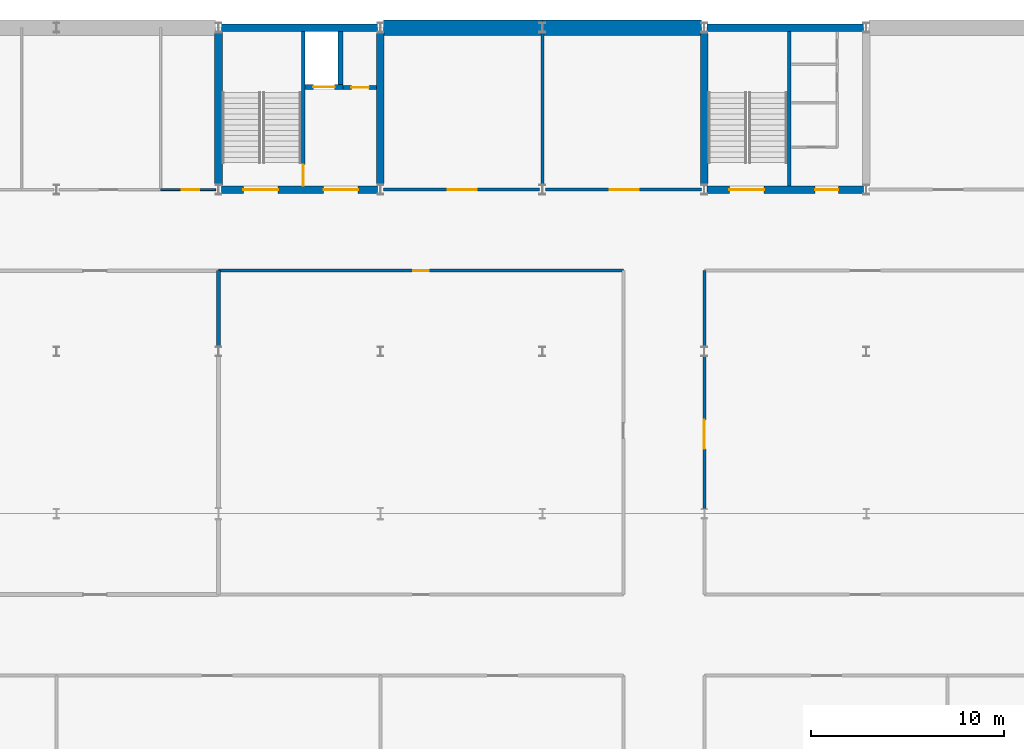
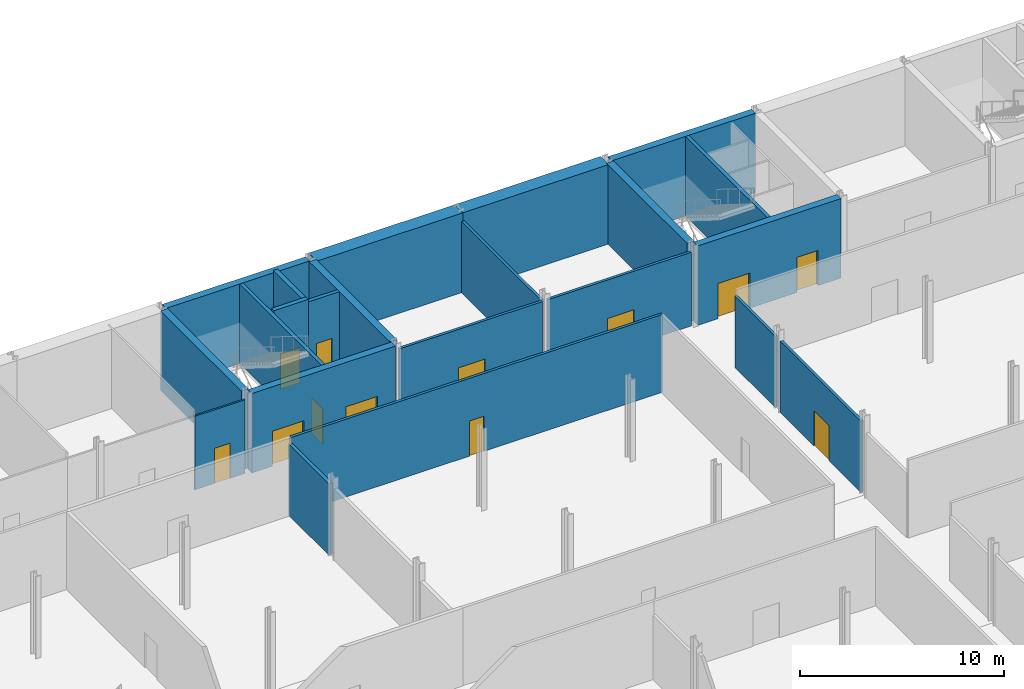
# One storey, part 13 of 20: 22 walls, 12 doors, 12 openings.
"""IFC4 building model written with IfcOpenShell, lengths in metres."""

from ifc_helpers import new_model, si_unit, direction, frame, frame_2d, origin, place, context, subcontext, project, spatial, rectangle, extrude, material, layer, layer_set, type_object, element, fill, save


model = new_model("IFC4")

# Units and contexts
model_context = context("Model", 3, precision=1e-05, world=origin(), true_north=direction((0.0, 1.0)))
body_context = subcontext(model_context, "Body", "Model", "MODEL_VIEW")
ifc_project = project(units=[si_unit("LENGTHUNIT", "METRE"), si_unit("AREAUNIT", "SQUARE_METRE"), si_unit("VOLUMEUNIT", "CUBIC_METRE"), si_unit("PLANEANGLEUNIT", "RADIAN"), si_unit("MASSUNIT", "GRAM", prefix="KILO")], contexts=[model_context])

# Site, building, storey
site_placement = place(None, origin())
site = spatial("IfcSite", under=ifc_project, at=site_placement, CompositionType="ELEMENT")
building_placement = place(site_placement, origin())
building = spatial("IfcBuilding", under=site, at=building_placement, Name="Galleria Vessillo Department Store", CompositionType="ELEMENT")
storey_placement = place(building_placement, frame((0.0, 0.0, -4.89990234375)))
storey = spatial("IfcBuildingStorey", under=building, at=storey_placement, Name="B1", CompositionType="ELEMENT", Elevation=-4.89990234375)

# Walls
ifc_material_1 = material(Name="Concrete C32/40 reinforced", Category="concrete")
ifc_layer_1 = layer(ifc_material_1, 0.800048828125)
ifc_layer_set_1 = layer_set([ifc_layer_1], Name="Concrete C32/40 reinforced")
wall_type_1 = type_object("IfcWallType", Name="Diaphragm wall 800 mm", PredefinedType="SOLIDWALL", material=ifc_layer_set_1)
wall_1_placement = place(storey_placement, frame((42.14990234375, 63.0, 0.0), z_axis=(0.0, 0.0, 1.0), x_axis=(1.0, 0.0, 0.0)))
element("IfcWall", 1, at=wall_1_placement, inside=storey, type_object=wall_type_1, Name="S-BW-N-B1-04", PredefinedType="SOLIDWALL", context=body_context, shape_type="SweptSolid", body=[
    extrude(rectangle(XDim=8.25, YDim=0.800048828125, at=frame_2d((4.125, 0.0))), origin(), (0.0, 0.0, 1.0), 4.75),
])
wall_2_placement = place(storey_placement, frame((50.39990234375, 63.0, 0.0), z_axis=(0.0, 0.0, 1.0), x_axis=(1.0, 0.0, 0.0)))
element("IfcWall", 2, at=wall_2_placement, inside=storey, type_object=wall_type_1, Name="S-BW-N-B1-05", PredefinedType="SOLIDWALL", context=body_context, shape_type="SweptSolid", body=[
    extrude(rectangle(XDim=8.250244140625, YDim=0.800048828125, at=frame_2d((4.125, 0.0))), origin(), (0.0, 0.0, 1.0), 4.75),
])
ifc_material_2 = material(Name="Concrete blockwork", Category="masonry")
ifc_layer_2 = layer(ifc_material_2, 0.199951171875)
ifc_layer_set_2 = layer_set([ifc_layer_2], Name="Concrete blockwork")
wall_type_2 = type_object("IfcWallType", Name="Kitchen blockwork wall 200 mm", PredefinedType="SOLIDWALL", material=ifc_layer_set_2)
wall_3_placement = place(storey_placement, frame((33.60009765625, 46.449951171875, 0.0), z_axis=(0.0, 0.0, 1.0), x_axis=(0.0, 1.0, 0.0)))
element("IfcWall", 3, at=wall_3_placement, inside=storey, type_object=wall_type_2, Name="Partition wall PT8 on B1 no. 093", PredefinedType="SOLIDWALL", context=body_context, shape_type="SweptSolid", body=[
    extrude(rectangle(XDim=3.949951171875, YDim=0.199951171875, at=frame_2d((1.97509765625, 0.0))), origin(), (0.0, 0.0, 1.0), 4.259765625),
])

# Wall, opening, door
ifc_material_3 = material(Name="Solid clay block masonry", Category="masonry")
ifc_layer_3 = layer(ifc_material_3, 0.25)
ifc_layer_set_3 = layer_set([ifc_layer_3], Name="Solid clay block masonry")
wall_type_3 = type_object("IfcWallType", Name="Lift shaft wall 250 mm", PredefinedType="SOLIDWALL", material=ifc_layer_set_3)
wall_4_placement = place(storey_placement, frame((38.10009765625, 59.925048828125, 0.0), z_axis=(0.0, 0.0, 1.0), x_axis=(1.0, 0.0, 0.0)))
wall_4 = element("IfcWall", 4, at=wall_4_placement, inside=storey, type_object=wall_type_3, Name="Lift shaft wall LP4 landing side B1", PredefinedType="SOLIDWALL", context=body_context, shape_type="SweptSolid", body=[
    extrude(rectangle(XDim=1.949951171875, YDim=0.25, at=frame_2d((0.97509765625, 0.0))), origin(), (0.0, 0.0, 1.0), 4.89990234375),
])
opening_1_placement = place(wall_4_placement, frame((0.4248046875, 0.0, 0.0)))
opening_1 = element("IfcOpeningElement", 5, at=opening_1_placement, cuts=wall_4, Name="Opening LD026", PredefinedType="OPENING", context=body_context, shape_type="SweptSolid", body=[
    extrude(rectangle(XDim=1.10009765625, YDim=2.10009765625, at=frame_2d((0.550048828125, 1.050048828125))), frame((0.0, 0.135009765625, 0.0), z_axis=(0.0, -1.0, 0.0), x_axis=(1.0, 0.0, 0.0)), (0.0, 0.0, 1.0), 0.27001953125),
])
ifc_material_4 = material(Name="Stainless steel lift door panel", Category="steel")
door_type_1 = type_object("IfcDoorType", Name="Lift landing door LD110 sliding 1100 x 2100", OperationType="SLIDING_TO_LEFT", PredefinedType="DOOR", material=ifc_material_4)
door_1_placement = place(opening_1_placement, frame((1.10009765625, 0.0, 0.0), z_axis=(0.0, 0.0, 1.0), x_axis=(-1.0, 0.0, 0.0)))
door_1 = element("IfcDoor", 6, at=door_1_placement, inside=storey, type_object=door_type_1, Name="Lift landing door LP4 B1", OperationType="SLIDING_TO_RIGHT", OverallHeight=2.10009765625, OverallWidth=1.10009765625, PredefinedType="DOOR", context=body_context, shape_type="SweptSolid", body=[
    extrude(rectangle(XDim=1.10009765625, YDim=2.10009765625, at=frame_2d((0.550048828125, 1.050048828125))), frame((0.0, 0.02490234375, 0.0), z_axis=(0.0, -1.0, 0.0), x_axis=(1.0, 0.0, 0.0)), (0.0, 0.0, 1.0), 0.050048828125),
])
fill(opening_1, door_1)

# Wall
wall_5_placement = place(storey_placement, frame((39.925048828125, 62.800048828125, 0.0), z_axis=(0.0, 0.0, 1.0), x_axis=(0.0, -1.0, 0.0)))
element("IfcWall", 7, at=wall_5_placement, inside=storey, type_object=wall_type_3, Name="Lift shaft wall LP4 B1", PredefinedType="SOLIDWALL", context=body_context, shape_type="SweptSolid", body=[
    extrude(rectangle(XDim=2.75, YDim=0.25, at=frame_2d((1.375, 0.0))), origin(), (0.0, 0.0, 1.0), 4.89990234375),
])

# Wall, openings, doors
ifc_material_5 = material(Name="Concrete C32/40 reinforced", Category="concrete")
ifc_layer_4 = layer(ifc_material_5, 0.39990234375)
ifc_layer_set_4 = layer_set([ifc_layer_4], Name="Concrete C32/40 reinforced")
wall_type_4 = type_object("IfcWallType", Name="Reinforced concrete core wall 400 mm", PredefinedType="SHEAR", material=ifc_layer_set_4)
wall_6_placement = place(storey_placement, frame((33.75, 54.60009765625, 0.0), z_axis=(0.0, 0.0, 1.0), x_axis=(1.0, 0.0, 0.0)))
wall_6 = element("IfcWall", 8, at=wall_6_placement, inside=storey, type_object=wall_type_4, Name="S-CW-PC-NM-INTERIOR-B1", PredefinedType="SHEAR", context=body_context, shape_type="SweptSolid", body=[
    extrude(rectangle(XDim=8.10009765625, YDim=0.39990234375, at=frame_2d((4.050048828125, 0.0))), origin(), (0.0, 0.0, 1.0), 4.75),
])
opening_2_placement = place(wall_6_placement, frame((1.14990234375, 0.0, 0.0)))
opening_2 = element("IfcOpeningElement", 9, at=opening_2_placement, cuts=wall_6, Name="Opening D5102", PredefinedType="OPENING", context=body_context, shape_type="SweptSolid", body=[
    extrude(rectangle(XDim=1.800048828125, YDim=2.10009765625, at=frame_2d((0.89990234375, 1.050048828125))), frame((0.0, 0.2099609375, 0.0), z_axis=(0.0, -1.0, 0.0), x_axis=(1.0, 0.0, 0.0)), (0.0, 0.0, 1.0), 0.419921875),
])
opening_3_placement = place(wall_6_placement, frame((5.2998046875, 0.0, 0.0)))
opening_3 = element("IfcOpeningElement", 10, at=opening_3_placement, cuts=wall_6, Name="Opening D5103", PredefinedType="OPENING", context=body_context, shape_type="SweptSolid", body=[
    extrude(rectangle(XDim=1.800048828125, YDim=2.10009765625, at=frame_2d((0.89990234375, 1.050048828125))), frame((0.0, 0.2099609375, 0.0), z_axis=(0.0, -1.0, 0.0), x_axis=(1.0, 0.0, 0.0)), (0.0, 0.0, 1.0), 0.419921875),
])
ifc_material_6 = material(Name="Fire-rated steel door leaf", Category="steel")
door_type_2 = type_object("IfcDoorType", Name="Door D180F double leaf 1800 x 2100", OperationType="DOUBLE_DOOR_SINGLE_SWING", PredefinedType="DOOR", material=ifc_material_6)
door_2_placement = place(opening_2_placement, origin())
door_2 = element("IfcDoor", 11, at=door_2_placement, inside=storey, type_object=door_type_2, Name="Lobby door PC-NM-ST-FLOOR B1", OperationType="DOUBLE_DOOR_SINGLE_SWING", OverallHeight=2.10009765625, OverallWidth=1.800048828125, PredefinedType="DOOR", context=body_context, shape_type="SweptSolid", body=[
    extrude(rectangle(XDim=1.800048828125, YDim=2.10009765625, at=frame_2d((0.89990234375, 1.050048828125))), frame((0.0, 0.02490234375, 0.0), z_axis=(0.0, -1.0, 0.0), x_axis=(1.0, 0.0, 0.0)), (0.0, 0.0, 1.0), 0.050048828125),
])
fill(opening_2, door_2)
door_3_placement = place(opening_3_placement, frame((1.800048828125, 0.0, 0.0), z_axis=(0.0, 0.0, 1.0), x_axis=(-1.0, 0.0, 0.0)))
door_3 = element("IfcDoor", 12, at=door_3_placement, inside=storey, type_object=door_type_2, Name="Lobby door PC-NM-LOBBY-FLOOR B1", OperationType="DOUBLE_DOOR_SINGLE_SWING", OverallHeight=2.10009765625, OverallWidth=1.800048828125, PredefinedType="DOOR", context=body_context, shape_type="SweptSolid", body=[
    extrude(rectangle(XDim=1.800048828125, YDim=2.10009765625, at=frame_2d((0.89990234375, 1.050048828125))), frame((0.0, 0.02490234375, 0.0), z_axis=(0.0, -1.0, 0.0), x_axis=(1.0, 0.0, 0.0)), (0.0, 0.0, 1.0), 0.050048828125),
])
fill(opening_3, door_3)

# Walls
for number, where, z_axis, x_axis, name in (
    (13, (33.60009765625, 54.85009765625, 0.0), (0.0, 0.0, 1.0), (0.0, 1.0, 0.0), "S-CW-PC-NM-WEST-B1"),
    (14, (42.0, 54.85009765625, 0.0), (0.0, 0.0, 1.0), (0.0, 1.0, 0.0), "S-CW-PC-NM-EAST-B1"),
):
    element("IfcWall", number, at=place(storey_placement, frame(where, z_axis=z_axis, x_axis=x_axis)), inside=storey, type_object=wall_type_4, Name=name, PredefinedType="SHEAR", context=body_context, shape_type="SweptSolid", body=[
        extrude(rectangle(XDim=7.89990234375, YDim=0.39990234375, at=frame_2d((3.949951171875, 0.0))), origin(), (0.0, 0.0, 1.0), 4.75),
    ])

# Wall, openings, doors
wall_7_placement = place(storey_placement, frame((58.949951171875, 54.60009765625, 0.0), z_axis=(0.0, 0.0, 1.0), x_axis=(1.0, 0.0, 0.0)))
wall_7 = element("IfcWall", 15, at=wall_7_placement, inside=storey, type_object=wall_type_4, Name="S-CW-PC-NC-INTERIOR-B1", PredefinedType="SHEAR", context=body_context, shape_type="SweptSolid", body=[
    extrude(rectangle(XDim=8.10009765625, YDim=0.39990234375, at=frame_2d((4.050048828125, 0.0))), origin(), (0.0, 0.0, 1.0), 4.75),
])
opening_4_placement = place(wall_7_placement, frame((1.14990234375, 0.0, 0.0)))
opening_4 = element("IfcOpeningElement", 16, at=opening_4_placement, cuts=wall_7, Name="Opening D5206", PredefinedType="OPENING", context=body_context, shape_type="SweptSolid", body=[
    extrude(rectangle(XDim=1.800048828125, YDim=2.10009765625, at=frame_2d((0.89990234375, 1.050048828125))), frame((0.0, 0.2099609375, 0.0), z_axis=(0.0, -1.0, 0.0), x_axis=(1.0, 0.0, 0.0)), (0.0, 0.0, 1.0), 0.419921875),
])
opening_5_placement = place(wall_7_placement, frame((5.599853515625, 0.0, 0.0)))
opening_5 = element("IfcOpeningElement", 17, at=opening_5_placement, cuts=wall_7, Name="Opening D5207", PredefinedType="OPENING", context=body_context, shape_type="SweptSolid", body=[
    extrude(rectangle(XDim=1.199951171875, YDim=2.10009765625, at=frame_2d((0.60009765625, 1.050048828125))), frame((0.0, 0.2099609375, 0.0), z_axis=(0.0, -1.0, 0.0), x_axis=(1.0, 0.0, 0.0)), (0.0, 0.0, 1.0), 0.419921875),
])
ifc_material_7 = material(Name="Fire-rated steel door leaf", Category="steel")
door_type_3 = type_object("IfcDoorType", Name="Door D120F fire door 1200 x 2100", OperationType="SINGLE_SWING_LEFT", PredefinedType="DOOR", material=ifc_material_7)
door_4_placement = place(opening_5_placement, origin())
door_4 = element("IfcDoor", 18, at=door_4_placement, inside=storey, type_object=door_type_3, Name="Lobby door PC-NC-WC-FLOOR B1", OperationType="SINGLE_SWING_RIGHT", OverallHeight=2.10009765625, OverallWidth=1.199951171875, PredefinedType="DOOR", context=body_context, shape_type="SweptSolid", body=[
    extrude(rectangle(XDim=1.199951171875, YDim=2.10009765625, at=frame_2d((0.60009765625, 1.050048828125))), frame((0.0, 0.02490234375, 0.0), z_axis=(0.0, -1.0, 0.0), x_axis=(1.0, 0.0, 0.0)), (0.0, 0.0, 1.0), 0.050048828125),
])
fill(opening_5, door_4)
door_5_placement = place(opening_4_placement, origin())
door_5 = element("IfcDoor", 19, at=door_5_placement, inside=storey, type_object=door_type_2, Name="Lobby door PC-NC-ST-FLOOR B1", OperationType="DOUBLE_DOOR_SINGLE_SWING", OverallHeight=2.10009765625, OverallWidth=1.800048828125, PredefinedType="DOOR", context=body_context, shape_type="SweptSolid", body=[
    extrude(rectangle(XDim=1.800048828125, YDim=2.10009765625, at=frame_2d((0.89990234375, 1.050048828125))), frame((0.0, 0.02490234375, 0.0), z_axis=(0.0, -1.0, 0.0), x_axis=(1.0, 0.0, 0.0)), (0.0, 0.0, 1.0), 0.050048828125),
])
fill(opening_4, door_5)

# Walls
wall_8_placement = place(storey_placement, frame((58.800048828125, 54.85009765625, 0.0), z_axis=(0.0, 0.0, 1.0), x_axis=(0.0, 1.0, 0.0)))
element("IfcWall", 20, at=wall_8_placement, inside=storey, type_object=wall_type_4, Name="S-CW-PC-NC-WEST-B1", PredefinedType="SHEAR", context=body_context, shape_type="SweptSolid", body=[
    extrude(rectangle(XDim=7.89990234375, YDim=0.39990234375, at=frame_2d((3.949951171875, 0.0))), origin(), (0.0, 0.0, 1.0), 4.75),
])
ifc_material_8 = material(Name="Concrete C32/40 reinforced", Category="concrete")
ifc_layer_5 = layer(ifc_material_8, 0.39990234375)
ifc_layer_set_5 = layer_set([ifc_layer_5], Name="Concrete C32/40 reinforced")
wall_type_5 = type_object("IfcWallType", Name="Reinforced concrete core wall 400 mm, external", PredefinedType="SHEAR", material=ifc_layer_set_5)
for number, where, z_axis, x_axis, name in (
    (21, (33.75, 63.0, 0.0), (0.0, 0.0, 1.0), (1.0, 0.0, 0.0), "S-CW-PC-NM-PARTY-B1"),
    (22, (58.949951171875, 63.0, 0.0), (0.0, 0.0, 1.0), (1.0, 0.0, 0.0), "S-CW-PC-NC-PARTY-B1"),
):
    element("IfcWall", number, at=place(storey_placement, frame(where, z_axis=z_axis, x_axis=x_axis)), inside=storey, type_object=wall_type_5, Name=name, PredefinedType="SHEAR", context=body_context, shape_type="SweptSolid", body=[
        extrude(rectangle(XDim=8.10009765625, YDim=0.39990234375, at=frame_2d((4.050048828125, 0.0))), origin(), (0.0, 0.0, 1.0), 4.75),
    ])

# Wall, opening, door
ifc_material_9 = material(Name="Concrete C32/40 reinforced", Category="concrete")
ifc_layer_6 = layer(ifc_material_9, 0.199951171875)
ifc_layer_set_6 = layer_set([ifc_layer_6], Name="Concrete C32/40 reinforced")
wall_type_6 = type_object("IfcWallType", Name="Reinforced concrete stair enclosure wall 200 mm", PredefinedType="SHEAR", material=ifc_layer_set_6)
wall_9_placement = place(storey_placement, frame((38.0, 62.800048828125, 0.0), z_axis=(0.0, 0.0, 1.0), x_axis=(0.0, -1.0, 0.0)))
wall_9 = element("IfcWall", 23, at=wall_9_placement, inside=storey, type_object=wall_type_6, Name="Stair enclosure wall PC-NM B1", PredefinedType="SHEAR", context=body_context, shape_type="SweptSolid", body=[
    extrude(rectangle(XDim=8.0, YDim=0.199951171875, at=frame_2d((4.0, 0.0))), origin(), (0.0, 0.0, 1.0), 4.75),
])
opening_6_placement = place(wall_9_placement, frame((6.89990234375, 0.0, 0.0)))
opening_6 = element("IfcOpeningElement", 24, at=opening_6_placement, cuts=wall_9, Name="Opening D5100", PredefinedType="OPENING", context=body_context, shape_type="SweptSolid", body=[
    extrude(rectangle(XDim=1.11009765625, YDim=2.10009765625, at=frame_2d((0.554931640625, 1.050048828125))), frame((0.0, 0.10986328125, 0.0), z_axis=(0.0, -1.0, 0.0), x_axis=(1.0, 0.0, 0.0)), (0.0, 0.0, 1.0), 0.219970703125),
])
ifc_material_10 = material(Name="Fire-rated steel door leaf", Category="steel")
door_type_4 = type_object("IfcDoorType", Name="Door D110F stair door 1100 x 2100", OperationType="SINGLE_SWING_LEFT", PredefinedType="DOOR", material=ifc_material_10)
door_6_placement = place(opening_6_placement, frame((1.10009765625, 0.0, 0.0), z_axis=(0.0, 0.0, 1.0), x_axis=(-1.0, 0.0, 0.0)))
door_6 = element("IfcDoor", 25, at=door_6_placement, inside=storey, type_object=door_type_4, Name="Stair door PC-NM-ST-LOBBY B1", OperationType="SINGLE_SWING_LEFT", OverallHeight=2.10009765625, OverallWidth=1.10009765625, PredefinedType="DOOR", context=body_context, shape_type="SweptSolid", body=[
    extrude(rectangle(XDim=1.10009765625, YDim=2.10009765625, at=frame_2d((0.550048828125, 1.050048828125))), frame((0.0, 0.02490234375, 0.0), z_axis=(0.0, -1.0, 0.0), x_axis=(1.0, 0.0, 0.0)), (0.0, 0.0, 1.0), 0.050048828125),
])
fill(opening_6, door_6)

# Wall
wall_10_placement = place(storey_placement, frame((63.199951171875, 62.800048828125, 0.0), z_axis=(0.0, 0.0, 1.0), x_axis=(0.0, -1.0, 0.0)))
element("IfcWall", 26, at=wall_10_placement, inside=storey, type_object=wall_type_6, Name="Stair enclosure wall PC-NC B1", PredefinedType="SHEAR", context=body_context, shape_type="SweptSolid", body=[
    extrude(rectangle(XDim=8.0, YDim=0.199951171875, at=frame_2d((4.0, 0.0))), origin(), (0.0, 0.0, 1.0), 4.75),
])

# Wall, opening, door
ifc_material_11 = material(Name="Hollow clay block masonry", Category="masonry")
ifc_layer_7 = layer(ifc_material_11, 0.199951171875)
ifc_layer_set_7 = layer_set([ifc_layer_7], Name="Hollow clay block masonry")
wall_type_7 = type_object("IfcWallType", Name="Riser and service room wall 200 mm", PredefinedType="PARTITIONING", material=ifc_layer_set_7)
wall_11_placement = place(storey_placement, frame((40.050048828125, 59.900146484375, 0.0), z_axis=(0.0, 0.0, 1.0), x_axis=(1.0, 0.0, 0.0)))
wall_11 = element("IfcWall", 27, at=wall_11_placement, inside=storey, type_object=wall_type_7, Name="Riser wall PC-NM-RISER B1", PredefinedType="PARTITIONING", context=body_context, shape_type="SweptSolid", body=[
    extrude(rectangle(XDim=1.75, YDim=0.199951171875, at=frame_2d((0.875, 0.0))), origin(), (0.0, 0.0, 1.0), 4.75),
])
opening_7_placement = place(wall_11_placement, frame((0.449951171875, 0.0, 0.0)))
opening_7 = element("IfcOpeningElement", 28, at=opening_7_placement, cuts=wall_11, Name="Opening D5101", PredefinedType="OPENING", context=body_context, shape_type="SweptSolid", body=[
    extrude(rectangle(XDim=0.89990234375, YDim=2.10009765625, at=frame_2d((0.449951171875, 1.050048828125))), frame((0.0, 0.10986328125, 0.0), z_axis=(0.0, -1.0, 0.0), x_axis=(1.0, 0.0, 0.0)), (0.0, 0.0, 1.0), 0.219970703125),
])
ifc_material_12 = material(Name="Fire-rated steel door leaf", Category="steel")
door_type_5 = type_object("IfcDoorType", Name="Door DR90 riser access 900 x 2100", OperationType="SINGLE_SWING_LEFT", PredefinedType="DOOR", material=ifc_material_12)
door_7_placement = place(opening_7_placement, origin())
door_7 = element("IfcDoor", 29, at=door_7_placement, inside=storey, type_object=door_type_5, Name="Riser door PC-NM-RISER-D B1", OperationType="SINGLE_SWING_RIGHT", OverallHeight=2.10009765625, OverallWidth=0.89990234375, PredefinedType="DOOR", context=body_context, shape_type="SweptSolid", body=[
    extrude(rectangle(XDim=0.89990234375, YDim=2.10009765625, at=frame_2d((0.449951171875, 1.050048828125))), frame((0.0, 0.02490234375, 0.0), z_axis=(0.0, -1.0, 0.0), x_axis=(1.0, 0.0, 0.0)), (0.0, 0.0, 1.0), 0.050048828125),
])
fill(opening_7, door_7)

ifc_material_13 = material(Name="Concrete blockwork", Category="masonry")
ifc_layer_8 = layer(ifc_material_13, 0.14990234375)
ifc_layer_set_8 = layer_set([ifc_layer_8], Name="Concrete blockwork")
wall_type_8 = type_object("IfcWallType", Name="Stockroom blockwork wall 150 mm", PredefinedType="SOLIDWALL", material=ifc_layer_set_8)
wall_12_placement = place(storey_placement, frame((33.60009765625, 50.39990234375, 0.0), z_axis=(0.0, 0.0, 1.0), x_axis=(1.0, 0.0, 0.0)))
wall_12 = element("IfcWall", 30, at=wall_12_placement, inside=storey, type_object=wall_type_8, Name="Partition wall PT4 on B1 no. 050", PredefinedType="SOLIDWALL", context=body_context, shape_type="SweptSolid", body=[
    extrude(rectangle(XDim=21.0, YDim=0.14990234375, at=frame_2d((10.5, 0.0))), origin(), (0.0, 0.0, 1.0), 4.64990234375),
])
opening_8_placement = place(wall_12_placement, frame((10.10009765625, 0.0, 0.0)))
opening_8 = element("IfcOpeningElement", 31, at=opening_8_placement, cuts=wall_12, Name="Opening D2138", PredefinedType="OPENING", context=body_context, shape_type="SweptSolid", body=[
    extrude(rectangle(XDim=0.800048828125, YDim=2.10009765625, at=frame_2d((0.39990234375, 1.050048828125))), frame((0.0, 0.0849609375, 0.0), z_axis=(0.0, -1.0, 0.0), x_axis=(1.0, 0.0, 0.0)), (0.0, 0.0, 1.0), 0.169921875),
])
ifc_material_14 = material(Name="Steel fire door leaf", Category="steel")
door_type_6 = type_object("IfcDoorType", Name="Fire door 800 staff door", OperationType="SINGLE_SWING_LEFT", PredefinedType="DOOR", material=ifc_material_14)
door_8_placement = place(opening_8_placement, frame((0.800048828125, 0.0, 0.0), z_axis=(0.0, 0.0, 1.0), x_axis=(-1.0, 0.0, 0.0)))
door_8 = element("IfcDoor", 32, at=door_8_placement, inside=storey, type_object=door_type_6, Name="Door D2138", OperationType="SINGLE_SWING_LEFT", OverallHeight=2.10009765625, OverallWidth=0.800048828125, PredefinedType="DOOR", context=body_context, shape_type="SweptSolid", body=[
    extrude(rectangle(XDim=0.800048828125, YDim=2.10009765625, at=frame_2d((0.39990234375, 1.050048828125))), frame((0.0, 0.02490234375, 0.0), z_axis=(0.0, -1.0, 0.0), x_axis=(1.0, 0.0, 0.0)), (0.0, 0.0, 1.0), 0.050048828125),
])
fill(opening_8, door_8)

wall_13_placement = place(storey_placement, frame((42.14990234375, 54.60009765625, 0.0), z_axis=(0.0, 0.0, 1.0), x_axis=(1.0, 0.0, 0.0)))
wall_13 = element("IfcWall", 33, at=wall_13_placement, inside=storey, type_object=wall_type_8, Name="Partition wall PT4 on B1 no. 060", PredefinedType="SOLIDWALL", context=body_context, shape_type="SweptSolid", body=[
    extrude(rectangle(XDim=8.10009765625, YDim=0.14990234375, at=frame_2d((4.050048828125, 0.0))), origin(), (0.0, 0.0, 1.0), 4.39990234375),
])
opening_9_placement = place(wall_13_placement, frame((3.35009765625, 0.0, 0.0)))
opening_9 = element("IfcOpeningElement", 34, at=opening_9_placement, cuts=wall_13, Name="Opening D2147", PredefinedType="OPENING", context=body_context, shape_type="SweptSolid", body=[
    extrude(rectangle(XDim=1.5, YDim=2.10009765625, at=frame_2d((0.75, 1.050048828125))), frame((0.0, 0.0849609375, 0.0), z_axis=(0.0, -1.0, 0.0), x_axis=(1.0, 0.0, 0.0)), (0.0, 0.0, 1.0), 0.169921875),
])
ifc_material_15 = material(Name="Steel fire door leaf", Category="steel")
door_type_7 = type_object("IfcDoorType", Name="Stockroom fire door 1500 double leaf", OperationType="DOUBLE_DOOR_SINGLE_SWING", PredefinedType="DOOR", material=ifc_material_15)
door_9_placement = place(opening_9_placement, origin())
door_9 = element("IfcDoor", 35, at=door_9_placement, inside=storey, type_object=door_type_7, Name="Door D2147", OperationType="DOUBLE_DOOR_SINGLE_SWING", OverallHeight=2.10009765625, OverallWidth=1.5, PredefinedType="DOOR", context=body_context, shape_type="SweptSolid", body=[
    extrude(rectangle(XDim=1.5, YDim=2.10009765625, at=frame_2d((0.75, 1.050048828125))), frame((0.0, 0.02490234375, 0.0), z_axis=(0.0, -1.0, 0.0), x_axis=(1.0, 0.0, 0.0)), (0.0, 0.0, 1.0), 0.050048828125),
])
fill(opening_9, door_9)

wall_14_placement = place(storey_placement, frame((50.5498046875, 54.60009765625, 0.0), z_axis=(0.0, 0.0, 1.0), x_axis=(1.0, 0.0, 0.0)))
wall_14 = element("IfcWall", 36, at=wall_14_placement, inside=storey, type_object=wall_type_8, Name="Partition wall PT4 on B1 no. 061", PredefinedType="SOLIDWALL", context=body_context, shape_type="SweptSolid", body=[
    extrude(rectangle(XDim=8.100341796875, YDim=0.14990234375, at=frame_2d((4.05029296875, 0.0))), origin(), (0.0, 0.0, 1.0), 4.39990234375),
])
opening_10_placement = place(wall_14_placement, frame((3.35009765625, 0.0, 0.0)))
opening_10 = element("IfcOpeningElement", 37, at=opening_10_placement, cuts=wall_14, Name="Opening D2148", PredefinedType="OPENING", context=body_context, shape_type="SweptSolid", body=[
    extrude(rectangle(XDim=1.5, YDim=2.10009765625, at=frame_2d((0.75, 1.050048828125))), frame((0.0, 0.0849609375, 0.0), z_axis=(0.0, -1.0, 0.0), x_axis=(1.0, 0.0, 0.0)), (0.0, 0.0, 1.0), 0.169921875),
])
door_10_placement = place(opening_10_placement, origin())
door_10 = element("IfcDoor", 38, at=door_10_placement, inside=storey, type_object=door_type_7, Name="Door D2148", OperationType="DOUBLE_DOOR_SINGLE_SWING", OverallHeight=2.10009765625, OverallWidth=1.5, PredefinedType="DOOR", context=body_context, shape_type="SweptSolid", body=[
    extrude(rectangle(XDim=1.5, YDim=2.10009765625, at=frame_2d((0.75, 1.050048828125))), frame((0.0, 0.02490234375, 0.0), z_axis=(0.0, -1.0, 0.0), x_axis=(1.0, 0.0, 0.0)), (0.0, 0.0, 1.0), 0.050048828125),
])
fill(opening_10, door_10)

wall_15_placement = place(storey_placement, frame((58.800048828125, 38.06201171875, 0.0), z_axis=(0.0, 0.0, 1.0), x_axis=(0.0, 1.0, 0.0)))
wall_15 = element("IfcWall", 39, at=wall_15_placement, inside=storey, type_object=wall_type_8, Name="Partition wall PT4 on B1 no. 071", PredefinedType="SOLIDWALL", context=body_context, shape_type="SweptSolid", body=[
    extrude(rectangle(XDim=7.887939453125, YDim=0.14990234375, at=frame_2d((3.94384765625, 0.0))), origin(), (0.0, 0.0, 1.0), 4.259765625),
])
opening_11_placement = place(wall_15_placement, frame((3.10009765625, 0.0, 0.0)))
opening_11 = element("IfcOpeningElement", 40, at=opening_11_placement, cuts=wall_15, Name="Opening D2154", PredefinedType="OPENING", context=body_context, shape_type="SweptSolid", body=[
    extrude(rectangle(XDim=1.5, YDim=2.10009765625, at=frame_2d((0.75, 1.050048828125))), frame((0.0, 0.0849609375, 0.0), z_axis=(0.0, -1.0, 0.0), x_axis=(1.0, 0.0, 0.0)), (0.0, 0.0, 1.0), 0.169921875),
])
door_11_placement = place(opening_11_placement, frame((1.5, 0.0, 0.0), z_axis=(0.0, 0.0, 1.0), x_axis=(-1.0, 0.0, 0.0)))
door_11 = element("IfcDoor", 41, at=door_11_placement, inside=storey, type_object=door_type_7, Name="Door D2154", OperationType="DOUBLE_DOOR_SINGLE_SWING", OverallHeight=2.10009765625, OverallWidth=1.5, PredefinedType="DOOR", context=body_context, shape_type="SweptSolid", body=[
    extrude(rectangle(XDim=1.5, YDim=2.10009765625, at=frame_2d((0.75, 1.050048828125))), frame((0.0, 0.02490234375, 0.0), z_axis=(0.0, -1.0, 0.0), x_axis=(1.0, 0.0, 0.0)), (0.0, 0.0, 1.0), 0.050048828125),
])
fill(opening_11, door_11)

# Walls
wall_16_placement = place(storey_placement, frame((58.800048828125, 46.449951171875, 0.0), z_axis=(0.0, 0.0, 1.0), x_axis=(0.0, 1.0, 0.0)))
element("IfcWall", 42, at=wall_16_placement, inside=storey, type_object=wall_type_8, Name="Partition wall PT4 on B1 no. 072", PredefinedType="SOLIDWALL", context=body_context, shape_type="SweptSolid", body=[
    extrude(rectangle(XDim=3.949951171875, YDim=0.14990234375, at=frame_2d((1.97509765625, 0.0))), origin(), (0.0, 0.0, 1.0), 4.259765625),
])
wall_17_placement = place(storey_placement, frame((50.39990234375, 54.85009765625, 0.0), z_axis=(0.0, 0.0, 1.0), x_axis=(0.0, 1.0, 0.0)))
element("IfcWall", 43, at=wall_17_placement, inside=storey, type_object=wall_type_8, Name="Partition wall PT4 on B1 no. 102", PredefinedType="SOLIDWALL", context=body_context, shape_type="SweptSolid", body=[
    extrude(rectangle(XDim=7.89990234375, YDim=0.14990234375, at=frame_2d((3.949951171875, 0.0))), origin(), (0.0, 0.0, 1.0), 4.259765625),
])

# Wall, opening, door
ifc_material_16 = material(Name="Moisture-resistant board partition")
ifc_layer_9 = layer(ifc_material_16, 0.10009765625)
ifc_layer_set_9 = layer_set([ifc_layer_9], Name="Moisture-resistant board partition")
wall_type_9 = type_object("IfcWallType", Name="WC and cubicle partition 100 mm", PredefinedType="PARTITIONING", material=ifc_layer_set_9)
wall_18_placement = place(storey_placement, frame((30.60009765625, 54.60009765625, 0.0), z_axis=(0.0, 0.0, 1.0), x_axis=(1.0, 0.0, 0.0)))
wall_18 = element("IfcWall", 44, at=wall_18_placement, inside=storey, type_object=wall_type_9, Name="Partition wall PT1 on B1 no. 059", PredefinedType="PARTITIONING", context=body_context, shape_type="SweptSolid", body=[
    extrude(rectangle(XDim=2.85009765625, YDim=0.10009765625, at=frame_2d((1.425048828125, 0.0))), origin(), (0.0, 0.0, 1.0), 4.39990234375),
])
opening_12_placement = place(wall_18_placement, frame((1.10009765625, 0.0, 0.0)))
opening_12 = element("IfcOpeningElement", 45, at=opening_12_placement, cuts=wall_18, Name="Opening D2146", PredefinedType="OPENING", context=body_context, shape_type="SweptSolid", body=[
    extrude(rectangle(XDim=0.89990234375, YDim=2.10009765625, at=frame_2d((0.449951171875, 1.050048828125))), frame((0.0, 0.06005859375, 0.0), z_axis=(0.0, -1.0, 0.0), x_axis=(1.0, 0.0, 0.0)), (0.0, 0.0, 1.0), 0.1201171875),
])
ifc_material_17 = material(Name="Timber and glass door leaf", Category="wood")
door_type_8 = type_object("IfcDoorType", Name="Accessible WC door 900 sliding", OperationType="SLIDING_TO_LEFT", PredefinedType="DOOR", material=ifc_material_17)
door_12_placement = place(opening_12_placement, frame((0.89990234375, 0.0, 0.0), z_axis=(0.0, 0.0, 1.0), x_axis=(-1.0, 0.0, 0.0)))
door_12 = element("IfcDoor", 46, at=door_12_placement, inside=storey, type_object=door_type_8, Name="Door D2146", OperationType="SLIDING_TO_RIGHT", OverallHeight=2.10009765625, OverallWidth=0.89990234375, PredefinedType="DOOR", context=body_context, shape_type="SweptSolid", body=[
    extrude(rectangle(XDim=0.89990234375, YDim=2.10009765625, at=frame_2d((0.449951171875, 1.050048828125))), frame((0.0, 0.02490234375, 0.0), z_axis=(0.0, -1.0, 0.0), x_axis=(1.0, 0.0, 0.0)), (0.0, 0.0, 1.0), 0.050048828125),
])
fill(opening_12, door_12)

save(model, "model.ifc")
